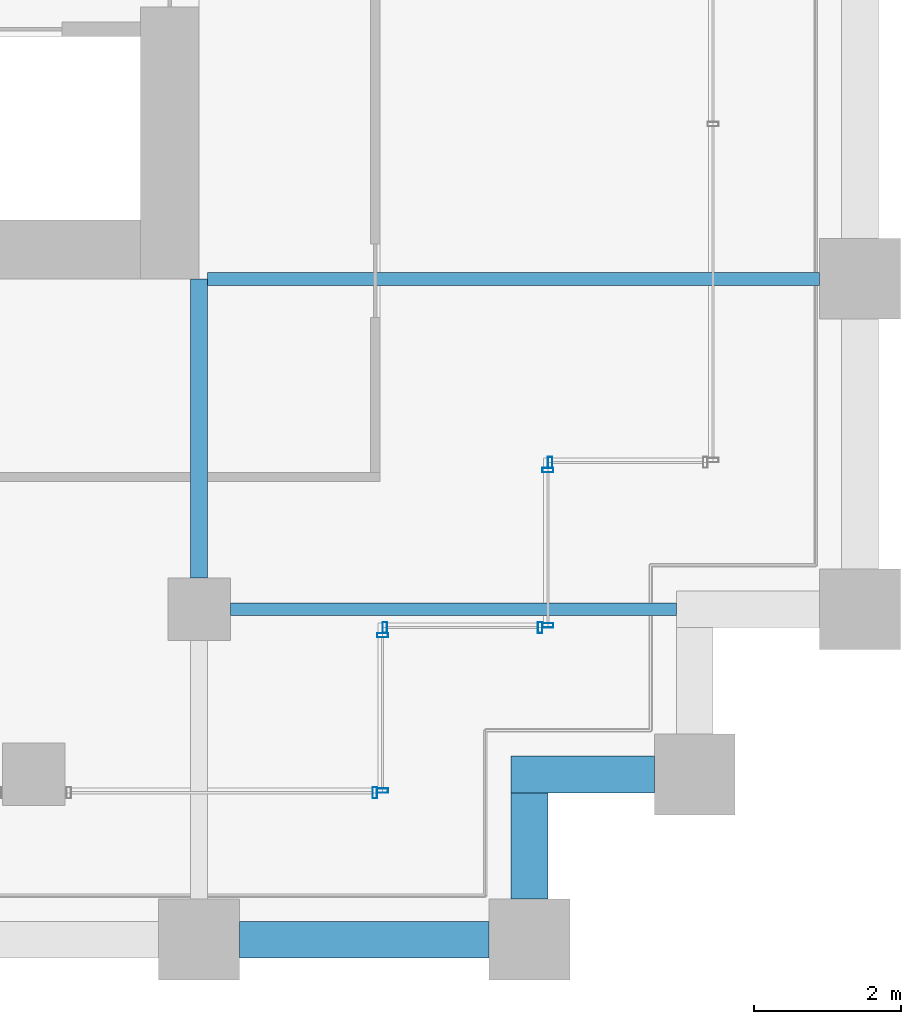
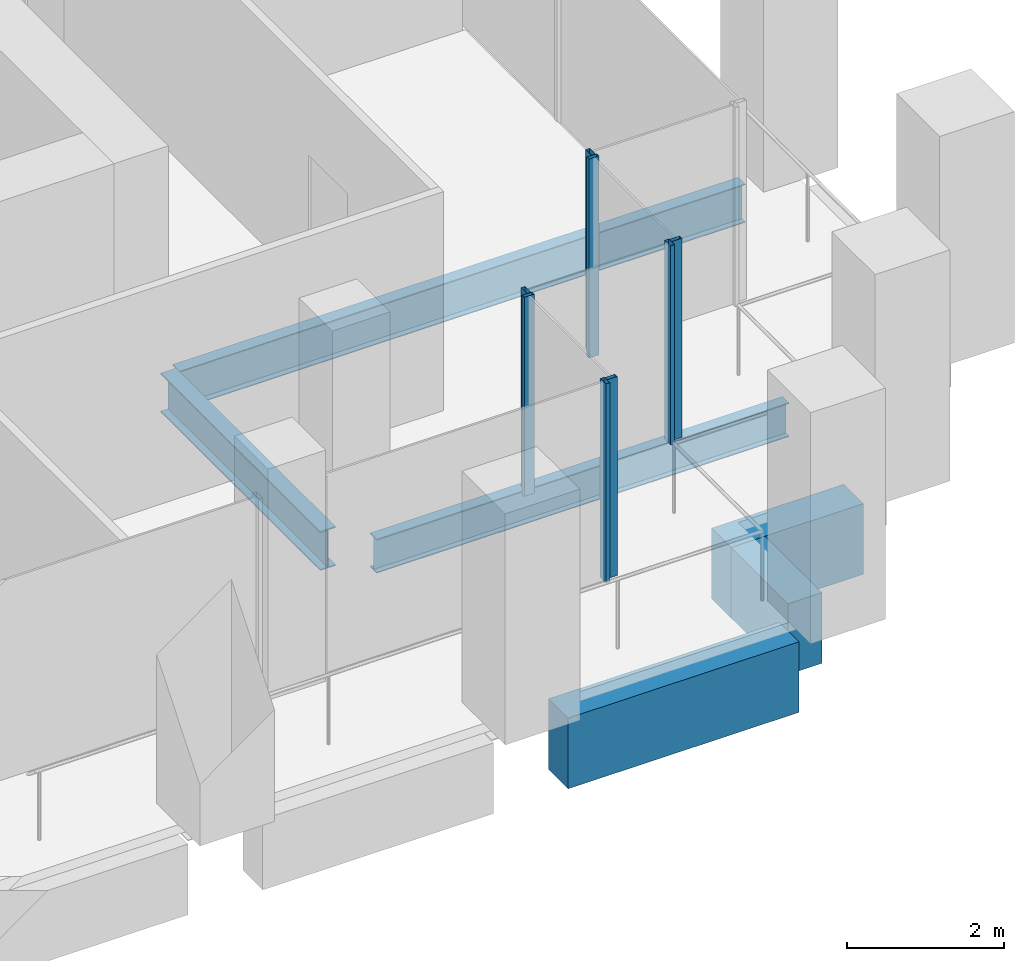
# One storey, part 38 of 54: 8 members, 6 beams, 5 elements without a shape of their own.
"""IFC4 building model written with IfcOpenShell, lengths in metres."""

from ifc_helpers import new_model, si_unit, direction, frame, origin, origin_2d, place, context, subcontext, project, spatial, rectangle, hollow_rectangle, i_section, extrude, material, material_profile, profile_set, type_object, element, aggregate, save


model = new_model("IFC4")

# Units and contexts
model_context = context("Model", 3, precision=1e-05, world=origin(), true_north=direction((0.0, 1.0)))
body_context = subcontext(model_context, "Body", "Model", "MODEL_VIEW")
ifc_project = project(units=[si_unit("LENGTHUNIT", "METRE"), si_unit("AREAUNIT", "SQUARE_METRE"), si_unit("VOLUMEUNIT", "CUBIC_METRE"), si_unit("PLANEANGLEUNIT", "RADIAN"), si_unit("MASSUNIT", "GRAM", prefix="KILO")], contexts=[model_context])

# Site, building, storey
site_placement = place(None, origin())
site = spatial("IfcSite", under=ifc_project, at=site_placement, CompositionType="ELEMENT")
building_placement = place(site_placement, origin())
building = spatial("IfcBuilding", under=site, at=building_placement, Name="Altepetl Exchange Towers", CompositionType="ELEMENT")
storey_placement = place(building_placement, frame((0.0, 0.0, 61.800048828125)))
storey = spatial("IfcBuildingStorey", under=building, at=storey_placement, Name="L14", CompositionType="ELEMENT", Elevation=61.800048828125)

# Beams
ifc_material_1 = material(Name="Steel S355", Category="steel")
ifc_material_profile_1 = material_profile(ifc_material_1, i_section(OverallWidth=0.166015625, OverallDepth=0.529052734375, WebThickness=0.009765625, FlangeThickness=0.013671875, at=origin_2d()), Name="W21X50")
ifc_profile_set_1 = profile_set([ifc_material_profile_1], Name="Steel S355")
beam_type_1 = type_object("IfcBeamType", Name="Floor beam W21X50", PredefinedType="BEAM", material=ifc_profile_set_1)
beam_1_placement = place(storey_placement, frame((117.425048828125, 31.5, -0.41455078125), z_axis=(1.0, 0.0, 0.0), x_axis=(0.0, 1.0, 0.0)))
element("IfcBeam", 1, at=beam_1_placement, inside=storey, type_object=beam_type_1, Name="bm:B:L14:004", PredefinedType="BEAM", context=body_context, shape_type="SweptSolid", body=[
    extrude(i_section(OverallWidth=0.166015625, OverallDepth=0.529052734375, WebThickness=0.009765625, FlangeThickness=0.013671875, at=origin_2d()), origin(), (0.0, 0.0, 1.0), 6.074951171875),
])
ifc_material_profile_2 = material_profile(ifc_material_1, i_section(OverallWidth=0.177978515625, OverallDepth=0.59912109375, WebThickness=0.010009765625, FlangeThickness=0.0126953125, at=origin_2d()), Name="W24X55")
ifc_profile_set_2 = profile_set([ifc_material_profile_2], Name="Steel S355")
beam_type_2 = type_object("IfcBeamType", Name="Floor beam W24X55", PredefinedType="BEAM", material=ifc_profile_set_2)
beam_2_placement = place(storey_placement, frame((117.114013671875, 36.0, -0.449462890625), z_axis=(1.0, 0.0, 0.0), x_axis=(0.0, 1.0, 0.0)))
element("IfcBeam", 2, at=beam_2_placement, inside=storey, type_object=beam_type_2, Name="bm:B:L14:005", PredefinedType="BEAM", context=body_context, shape_type="SweptSolid", body=[
    extrude(i_section(OverallWidth=0.177978515625, OverallDepth=0.59912109375, WebThickness=0.010009765625, FlangeThickness=0.0126953125, at=origin_2d()), origin(), (0.0, 0.0, 1.0), 8.3359375),
])
ifc_material_profile_3 = material_profile(ifc_material_1, i_section(OverallWidth=0.22802734375, OverallDepth=0.60791015625, WebThickness=0.01123046875, FlangeThickness=0.017333984375, at=origin_2d()), Name="W24X76")
ifc_profile_set_3 = profile_set([ifc_material_profile_3], Name="Steel S355")
beam_type_3 = type_object("IfcBeamType", Name="Girder W24X76", PredefinedType="BEAM", material=ifc_profile_set_3)
beam_3_placement = place(storey_placement, frame((117.0, 36.0, -0.4541015625), z_axis=(0.0, -1.0, 0.0), x_axis=(1.0, 0.0, 0.0)))
element("IfcBeam", 3, at=beam_3_placement, inside=storey, type_object=beam_type_3, Name="gd:B:L14:004", PredefinedType="BEAM", context=body_context, shape_type="SweptSolid", body=[
    extrude(i_section(OverallWidth=0.22802734375, OverallDepth=0.60791015625, WebThickness=0.01123046875, FlangeThickness=0.017333984375, at=origin_2d()), origin(), (0.0, 0.0, 1.0), 4.074951171875),
])

# Curtain wall, member
ifc_material_2 = material(Name="Aluminium 6063-T6 glazing", Category="aluminium")
curtain_wall_type = type_object("IfcCurtainWallType", Name="Loggia glazing system", PredefinedType="NOTDEFINED", material=ifc_material_2)
curtain_wall_1_placement = place(storey_placement, origin())
curtain_wall_1 = element("IfcCurtainWall", 4, at=curtain_wall_1_placement, inside=storey, type_object=curtain_wall_type, Name="CW1 run", PredefinedType="NOTDEFINED")
ifc_material_3 = material(Name="Aluminium 6063-T6", Category="aluminium")
ifc_material_profile_4 = material_profile(ifc_material_3, hollow_rectangle(XDim=0.06005859375, YDim=0.14990234375, WallThickness=0.0029296875, at=origin_2d()), Name="Mullion 60x150 aluminium")
ifc_profile_set_4 = profile_set([ifc_material_profile_4], Name="Aluminium 6063-T6")
member_type = type_object("IfcMemberType", Name="Mullion 60x150 aluminium", PredefinedType="MULLION", material=ifc_profile_set_4)
member_1_placement = place(storey_placement, frame((119.39501953125, 29.0, 0.0)))
member_1 = element("IfcMember", 5, at=member_1_placement, type_object=member_type, Name="MU1 mullion", PredefinedType="MULLION", context=body_context, shape_type="SweptSolid", body=[
    extrude(hollow_rectangle(XDim=0.06005859375, YDim=0.14990234375, WallThickness=0.0029296875, at=origin_2d()), origin(), (0.0, 0.0, 1.0), 3.099853515625),
])
aggregate(curtain_wall_1, [member_1])

# Curtain wall, members
curtain_wall_2_placement = place(storey_placement, origin())
curtain_wall_2 = element("IfcCurtainWall", 6, at=curtain_wall_2_placement, inside=storey, type_object=curtain_wall_type, Name="CW1 run", PredefinedType="NOTDEFINED")
member_2_placement = place(storey_placement, frame((119.5, 29.030029296875, 0.0), z_axis=(0.0, 0.0, 1.0), x_axis=(0.0, 1.0, 0.0)))
member_2 = element("IfcMember", 7, at=member_2_placement, type_object=member_type, Name="MU1 mullion", PredefinedType="MULLION", context=body_context, shape_type="SweptSolid", body=[
    extrude(hollow_rectangle(XDim=0.06005859375, YDim=0.14990234375, WallThickness=0.0029296875, at=origin_2d()), origin(), (0.0, 0.0, 1.0), 3.099853515625),
])
member_3_placement = place(storey_placement, frame((119.5, 31.14501953125, 0.0), z_axis=(0.0, 0.0, 1.0), x_axis=(0.0, 1.0, 0.0)))
member_3 = element("IfcMember", 8, at=member_3_placement, type_object=member_type, Name="MU1 mullion", PredefinedType="MULLION", context=body_context, shape_type="SweptSolid", body=[
    extrude(hollow_rectangle(XDim=0.06005859375, YDim=0.14990234375, WallThickness=0.0029296875, at=origin_2d()), origin(), (0.0, 0.0, 1.0), 3.099853515625),
])
aggregate(curtain_wall_2, [member_2, member_3])

curtain_wall_3_placement = place(storey_placement, origin())
curtain_wall_3 = element("IfcCurtainWall", 9, at=curtain_wall_3_placement, inside=storey, type_object=curtain_wall_type, Name="CW1 run", PredefinedType="NOTDEFINED")
member_4_placement = place(storey_placement, frame((119.530029296875, 31.25, 0.0)))
member_4 = element("IfcMember", 10, at=member_4_placement, type_object=member_type, Name="MU1 mullion", PredefinedType="MULLION", context=body_context, shape_type="SweptSolid", body=[
    extrude(hollow_rectangle(XDim=0.06005859375, YDim=0.14990234375, WallThickness=0.0029296875, at=origin_2d()), origin(), (0.0, 0.0, 1.0), 3.099853515625),
])
member_5_placement = place(storey_placement, frame((121.64501953125, 31.25, 0.0)))
member_5 = element("IfcMember", 11, at=member_5_placement, type_object=member_type, Name="MU1 mullion", PredefinedType="MULLION", context=body_context, shape_type="SweptSolid", body=[
    extrude(hollow_rectangle(XDim=0.06005859375, YDim=0.14990234375, WallThickness=0.0029296875, at=origin_2d()), origin(), (0.0, 0.0, 1.0), 3.099853515625),
])
aggregate(curtain_wall_3, [member_4, member_5])

curtain_wall_4_placement = place(storey_placement, origin())
curtain_wall_4 = element("IfcCurtainWall", 12, at=curtain_wall_4_placement, inside=storey, type_object=curtain_wall_type, Name="CW1 run", PredefinedType="NOTDEFINED")
member_6_placement = place(storey_placement, frame((121.75, 31.280029296875, 0.0), z_axis=(0.0, 0.0, 1.0), x_axis=(0.0, 1.0, 0.0)))
member_6 = element("IfcMember", 13, at=member_6_placement, type_object=member_type, Name="MU1 mullion", PredefinedType="MULLION", context=body_context, shape_type="SweptSolid", body=[
    extrude(hollow_rectangle(XDim=0.06005859375, YDim=0.14990234375, WallThickness=0.0029296875, at=origin_2d()), origin(), (0.0, 0.0, 1.0), 3.099853515625),
])
member_7_placement = place(storey_placement, frame((121.75, 33.39501953125, 0.0), z_axis=(0.0, 0.0, 1.0), x_axis=(0.0, 1.0, 0.0)))
member_7 = element("IfcMember", 14, at=member_7_placement, type_object=member_type, Name="MU1 mullion", PredefinedType="MULLION", context=body_context, shape_type="SweptSolid", body=[
    extrude(hollow_rectangle(XDim=0.06005859375, YDim=0.14990234375, WallThickness=0.0029296875, at=origin_2d()), origin(), (0.0, 0.0, 1.0), 3.099853515625),
])
aggregate(curtain_wall_4, [member_6, member_7])

# Curtain wall, member
curtain_wall_5_placement = place(storey_placement, origin())
curtain_wall_5 = element("IfcCurtainWall", 15, at=curtain_wall_5_placement, inside=storey, type_object=curtain_wall_type, Name="CW1 run", PredefinedType="NOTDEFINED")
member_8_placement = place(storey_placement, frame((121.780029296875, 33.5, 0.0)))
member_8 = element("IfcMember", 16, at=member_8_placement, type_object=member_type, Name="MU1 mullion", PredefinedType="MULLION", context=body_context, shape_type="SweptSolid", body=[
    extrude(hollow_rectangle(XDim=0.06005859375, YDim=0.14990234375, WallThickness=0.0029296875, at=origin_2d()), origin(), (0.0, 0.0, 1.0), 3.099853515625),
])
aggregate(curtain_wall_5, [member_8])

# Beams
ifc_material_4 = material(Name="Concrete C50/60 precast with cantera blanca facing", Category="concrete")
ifc_material_profile_5 = material_profile(ifc_material_4, rectangle(XDim=0.5, YDim=1.10009765625, at=origin_2d()), Name="500 x 1100")
ifc_profile_set_5 = profile_set([ifc_material_profile_5], Name="Concrete C50/60 precast with cantera blanca facing")
beam_type_4 = type_object("IfcBeamType", Name="Spandrel beam 500x1100 cantera blanca", PredefinedType="SPANDREL", material=ifc_profile_set_5)
beam_4_placement = place(storey_placement, frame((117.550048828125, 27.0, -0.699951171875), z_axis=(1.0, 0.0, 0.0), x_axis=(0.0, 1.0, 0.0)))
element("IfcBeam", 17, at=beam_4_placement, inside=storey, type_object=beam_type_4, Name="sp:B:L14:004", PredefinedType="SPANDREL", context=body_context, shape_type="SweptSolid", body=[
    extrude(rectangle(XDim=0.5, YDim=1.10009765625, at=origin_2d()), origin(), (0.0, 0.0, 1.0), 3.39990234375),
])
beam_5_placement = place(storey_placement, frame((121.5, 27.550048828125, -0.699951171875), z_axis=(0.0, 1.0, 0.0), x_axis=(-1.0, 0.0, 0.0)))
element("IfcBeam", 18, at=beam_5_placement, inside=storey, type_object=beam_type_4, Name="sp:B:L14:005", PredefinedType="SPANDREL", context=body_context, shape_type="SweptSolid", body=[
    extrude(rectangle(XDim=0.5, YDim=1.10009765625, at=origin_2d()), origin(), (0.0, 0.0, 1.0), 1.449951171875),
])
beam_6_placement = place(storey_placement, frame((121.25, 29.25, -0.699951171875), z_axis=(1.0, 0.0, 0.0), x_axis=(0.0, 1.0, 0.0)))
element("IfcBeam", 19, at=beam_6_placement, inside=storey, type_object=beam_type_4, Name="sp:B:L14:006", PredefinedType="SPANDREL", context=body_context, shape_type="SweptSolid", body=[
    extrude(rectangle(XDim=0.5, YDim=1.10009765625, at=origin_2d()), origin(), (0.0, 0.0, 1.0), 1.949951171875),
])

save(model, "model.ifc")
